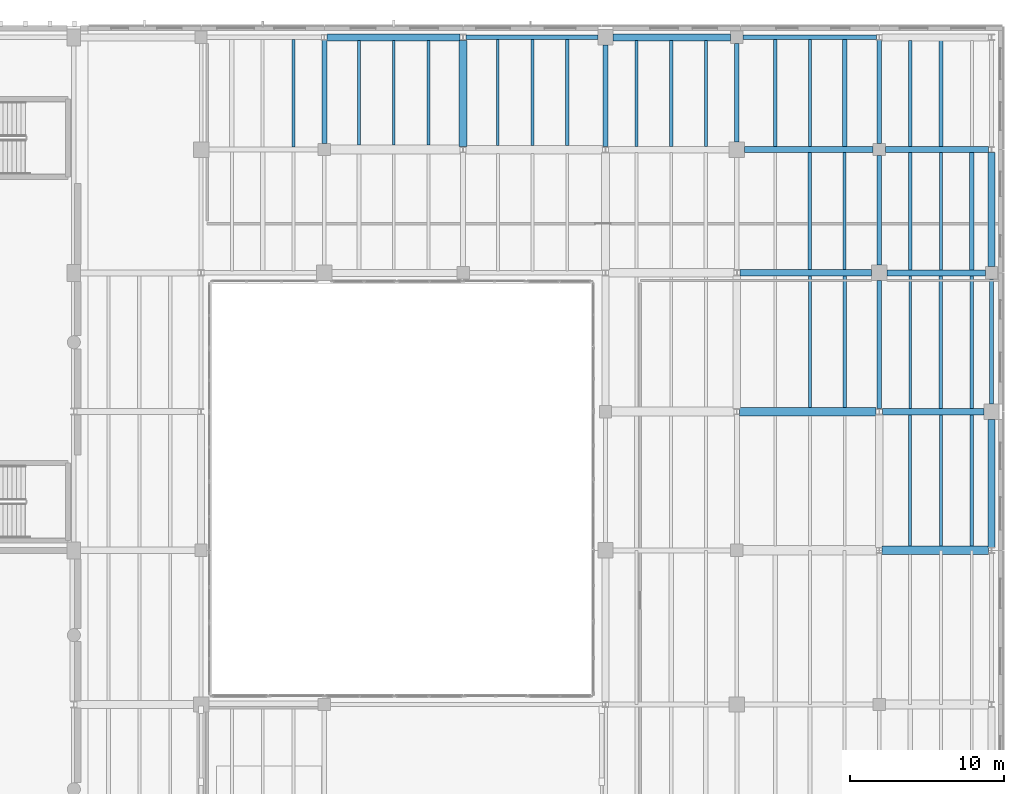
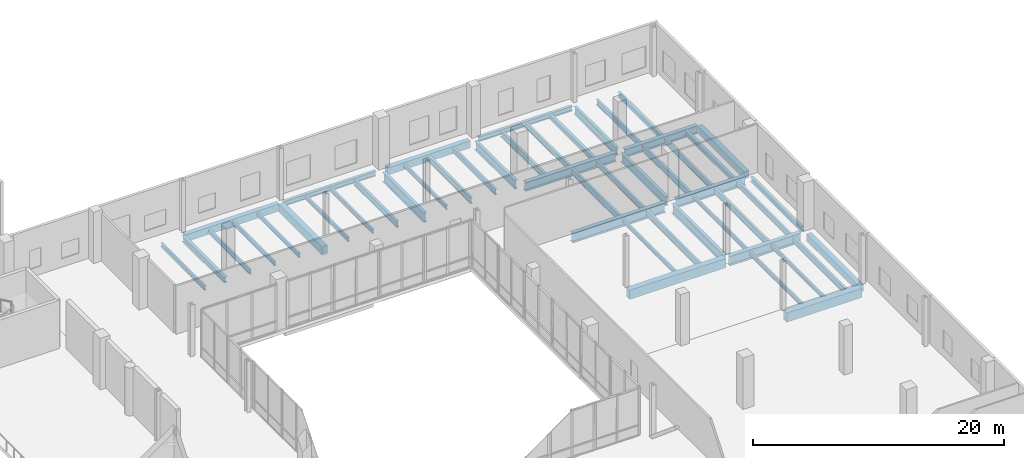
# One storey, part 49 of 81: 49 beams.
"""IFC4 building model written with IfcOpenShell, lengths in metres."""

from ifc_helpers import new_model, si_unit, direction, frame, origin, origin_2d, place, context, subcontext, project, spatial, rectangle, i_section, extrude, material, material_profile, profile_set, type_object, element, save


model = new_model("IFC4")

# Units and contexts
model_context = context("Model", 3, precision=1e-05, world=origin(), true_north=direction((0.0, 1.0)))
body_context = subcontext(model_context, "Body", "Model", "MODEL_VIEW")
ifc_project = project(units=[si_unit("LENGTHUNIT", "METRE"), si_unit("AREAUNIT", "SQUARE_METRE"), si_unit("VOLUMEUNIT", "CUBIC_METRE"), si_unit("PLANEANGLEUNIT", "RADIAN"), si_unit("MASSUNIT", "GRAM", prefix="KILO")], contexts=[model_context])

# Site, building, storey
site_placement = place(None, origin())
site = spatial("IfcSite", under=ifc_project, at=site_placement, CompositionType="ELEMENT")
building_placement = place(site_placement, origin())
building = spatial("IfcBuilding", under=site, at=building_placement, Name="Trimount Lyric Opera House", CompositionType="ELEMENT")
storey_placement = place(building_placement, frame((0.0, 0.0, 5.0)))
storey = spatial("IfcBuildingStorey", under=building, at=storey_placement, Name="L01", CompositionType="ELEMENT", Elevation=5.0)

# Beams
ifc_material_1 = material(Name="Steel ASTM A992 Grade 50", Category="steel")
ifc_material_profile_1 = material_profile(ifc_material_1, i_section(OverallWidth=0.4189453125, OverallDepth=0.927001953125, WebThickness=0.019287109375, FlangeThickness=0.031982421875, FilletRadius=0.02392578125, at=origin_2d()), Name="W36X231")
ifc_profile_set_1 = profile_set([ifc_material_profile_1], Name="Steel ASTM A992 Grade 50")
beam_type_1 = type_object("IfcBeamType", Name="B-02", PredefinedType="BEAM", material=ifc_profile_set_1)
beam_1_placement = place(storey_placement, frame((166.199462890625, 93.0, -0.7734375), z_axis=(1.0, 0.0, 0.0), x_axis=(0.0, 1.0, 0.0)))
element("IfcBeam", 1, at=beam_1_placement, inside=storey, type_object=beam_type_1, Name="L01 girder X-0549", PredefinedType="BEAM", context=body_context, shape_type="SweptSolid", body=[
    extrude(i_section(OverallWidth=0.4189453125, OverallDepth=0.927001953125, WebThickness=0.019287109375, FlangeThickness=0.031982421875, FilletRadius=0.02392578125, at=origin_2d()), origin(), (0.0, 0.0, 1.0), 6.58056640625),
])
beam_2_placement = place(storey_placement, frame((156.95947265625, 102.0, -0.7734375), z_axis=(1.0, 0.0, 0.0), x_axis=(0.0, 1.0, 0.0)))
element("IfcBeam", 2, at=beam_2_placement, inside=storey, type_object=beam_type_1, Name="L01 girder X-0561", PredefinedType="BEAM", context=body_context, shape_type="SweptSolid", body=[
    extrude(i_section(OverallWidth=0.4189453125, OverallDepth=0.927001953125, WebThickness=0.019287109375, FlangeThickness=0.031982421875, FilletRadius=0.02392578125, at=origin_2d()), origin(), (0.0, 0.0, 1.0), 8.54052734375),
])
ifc_material_2 = material(Name="Steel ASTM A992 Grade 50", Category="steel")
ifc_material_profile_2 = material_profile(ifc_material_2, i_section(OverallWidth=0.304931640625, OverallDepth=0.9189453125, WebThickness=0.017333984375, FlangeThickness=0.02783203125, FilletRadius=0.02001953125, at=origin_2d()), Name="W36X170")
ifc_profile_set_2 = profile_set([ifc_material_profile_2], Name="Steel ASTM A992 Grade 50")
beam_type_2 = type_object("IfcBeamType", Name="B-03", PredefinedType="BEAM", material=ifc_profile_set_2)
beam_3_placement = place(storey_placement, frame((148.239990234375, 110.193115234375, -0.76953125), z_axis=(0.0, 1.0, 0.0), x_axis=(-1.0, 0.0, 0.0)))
element("IfcBeam", 3, at=beam_3_placement, inside=storey, type_object=beam_type_2, Name="L01 girder Y-0690", PredefinedType="BEAM", context=body_context, shape_type="SweptSolid", body=[
    extrude(i_section(OverallWidth=0.304931640625, OverallDepth=0.9189453125, WebThickness=0.017333984375, FlangeThickness=0.02783203125, FilletRadius=0.02001953125, at=origin_2d()), origin(), (0.0, 0.0, 1.0), 6.5869140625),
])
beam_4_placement = place(storey_placement, frame((166.0, 93.193115234375, -0.76953125), z_axis=(0.0, 1.0, 0.0), x_axis=(-1.0, 0.0, 0.0)))
element("IfcBeam", 4, at=beam_4_placement, inside=storey, type_object=beam_type_2, Name="L01 girder Y-0703", PredefinedType="BEAM", context=body_context, shape_type="SweptSolid", body=[
    extrude(i_section(OverallWidth=0.304931640625, OverallDepth=0.9189453125, WebThickness=0.017333984375, FlangeThickness=0.02783203125, FilletRadius=0.02001953125, at=origin_2d()), origin(), (0.0, 0.0, 1.0), 8.306884765625),
])
ifc_material_3 = material(Name="Steel ASTM A992 Grade 50", Category="steel")
ifc_material_profile_3 = material_profile(ifc_material_3, i_section(OverallWidth=0.40087890625, OverallDepth=0.861083984375, WebThickness=0.019775390625, FlangeThickness=0.032470703125, FilletRadius=0.02001953125, at=origin_2d()), Name="W33X221")
ifc_profile_set_3 = profile_set([ifc_material_profile_3], Name="Steel ASTM A992 Grade 50")
beam_type_3 = type_object("IfcBeamType", Name="B-04", PredefinedType="BEAM", material=ifc_profile_set_3)
beam_5_placement = place(storey_placement, frame((166.5, 102.0, -0.740478515625), z_axis=(1.0, 0.0, 0.0), x_axis=(0.0, 1.0, 0.0)))
element("IfcBeam", 5, at=beam_5_placement, inside=storey, type_object=beam_type_3, Name="L01 girder X-0562", PredefinedType="BEAM", context=body_context, shape_type="SweptSolid", body=[
    extrude(i_section(OverallWidth=0.40087890625, OverallDepth=0.861083984375, WebThickness=0.019775390625, FlangeThickness=0.032470703125, FilletRadius=0.02001953125, at=origin_2d()), origin(), (0.0, 0.0, 1.0), 6.3798828125),
])
beam_6_placement = place(storey_placement, frame((157.260009765625, 110.0, -0.740478515625), z_axis=(1.0, 0.0, 0.0), x_axis=(0.0, 1.0, 0.0)))
element("IfcBeam", 6, at=beam_6_placement, inside=storey, type_object=beam_type_3, Name="L01 girder X-0573", PredefinedType="BEAM", context=body_context, shape_type="SweptSolid", body=[
    extrude(i_section(OverallWidth=0.40087890625, OverallDepth=0.861083984375, WebThickness=0.019775390625, FlangeThickness=0.032470703125, FilletRadius=0.02001953125, at=origin_2d()), origin(), (0.0, 0.0, 1.0), 8.340087890625),
])
ifc_material_4 = material(Name="Steel ASTM A992 Grade 50", Category="steel")
ifc_material_profile_4 = material_profile(ifc_material_4, i_section(OverallWidth=0.2919921875, OverallDepth=0.845947265625, WebThickness=0.015380859375, FlangeThickness=0.0244140625, FilletRadius=0.01806640625, at=origin_2d()), Name="W33X141")
ifc_profile_set_4 = profile_set([ifc_material_profile_4], Name="Steel ASTM A992 Grade 50")
beam_type_4 = type_object("IfcBeamType", Name="B-05", PredefinedType="BEAM", material=ifc_profile_set_4)
beam_7_placement = place(storey_placement, frame((156.760009765625, 110.5, -0.73291015625), z_axis=(0.0, 1.0, 0.0), x_axis=(-1.0, 0.0, 0.0)))
element("IfcBeam", 7, at=beam_7_placement, inside=storey, type_object=beam_type_4, Name="L01 girder Y-0697", PredefinedType="BEAM", context=body_context, shape_type="SweptSolid", body=[
    extrude(i_section(OverallWidth=0.2919921875, OverallDepth=0.845947265625, WebThickness=0.015380859375, FlangeThickness=0.0244140625, FilletRadius=0.01806640625, at=origin_2d()), origin(), (0.0, 0.0, 1.0), 6.3798828125),
])
beam_8_placement = place(storey_placement, frame((166.0, 102.5, -0.73291015625), z_axis=(0.0, 1.0, 0.0), x_axis=(-1.0, 0.0, 0.0)))
element("IfcBeam", 8, at=beam_8_placement, inside=storey, type_object=beam_type_4, Name="L01 girder Y-0704", PredefinedType="BEAM", context=body_context, shape_type="SweptSolid", body=[
    extrude(i_section(OverallWidth=0.2919921875, OverallDepth=0.845947265625, WebThickness=0.015380859375, FlangeThickness=0.0244140625, FilletRadius=0.01806640625, at=origin_2d()), origin(), (0.0, 0.0, 1.0), 7.10009765625),
])
ifc_material_5 = material(Name="Steel ASTM A992 Grade 50", Category="steel")
ifc_material_profile_5 = material_profile(ifc_material_5, i_section(OverallWidth=0.382080078125, OverallDepth=0.779052734375, WebThickness=0.01806640625, FlangeThickness=0.0302734375, FilletRadius=0.01904296875, at=origin_2d()), Name="W30X191")
ifc_profile_set_5 = profile_set([ifc_material_profile_5], Name="Steel ASTM A992 Grade 50")
beam_type_5 = type_object("IfcBeamType", Name="B-06", PredefinedType="BEAM", material=ifc_profile_set_5)
beam_9_placement = place(storey_placement, frame((166.39990234375, 110.0, -0.699462890625), z_axis=(1.0, 0.0, 0.0), x_axis=(0.0, 1.0, 0.0)))
element("IfcBeam", 9, at=beam_9_placement, inside=storey, type_object=beam_type_5, Name="L01 girder X-0574", PredefinedType="BEAM", context=body_context, shape_type="SweptSolid", body=[
    extrude(i_section(OverallWidth=0.382080078125, OverallDepth=0.779052734375, WebThickness=0.01806640625, FlangeThickness=0.0302734375, FilletRadius=0.01904296875, at=origin_2d()), origin(), (0.0, 0.0, 1.0), 6.693603515625),
])
ifc_material_6 = material(Name="Steel ASTM A992 Grade 50", Category="steel")
ifc_material_profile_6 = material_profile(ifc_material_6, i_section(OverallWidth=0.26708984375, OverallDepth=0.761962890625, WebThickness=0.014404296875, FlangeThickness=0.021484375, FilletRadius=0.01708984375, at=origin_2d()), Name="W30X116")
ifc_profile_set_6 = profile_set([ifc_material_profile_6], Name="Steel ASTM A992 Grade 50")
beam_type_6 = type_object("IfcBeamType", Name="B-07", PredefinedType="BEAM", material=ifc_profile_set_6)
beam_10_placement = place(storey_placement, frame((166.0, 110.39990234375, -0.69091796875), z_axis=(0.0, 1.0, 0.0), x_axis=(-1.0, 0.0, 0.0)))
element("IfcBeam", 10, at=beam_10_placement, inside=storey, type_object=beam_type_6, Name="L01 girder Y-0705", PredefinedType="BEAM", context=body_context, shape_type="SweptSolid", body=[
    extrude(i_section(OverallWidth=0.26708984375, OverallDepth=0.761962890625, WebThickness=0.014404296875, FlangeThickness=0.021484375, FilletRadius=0.01708984375, at=origin_2d()), origin(), (0.0, 0.0, 1.0), 6.696044921875),
])
ifc_material_7 = material(Name="Steel ASTM A992 Grade 50", Category="steel")
ifc_material_profile_7 = material_profile(ifc_material_7, i_section(OverallWidth=0.31201171875, OverallDepth=0.5458984375, WebThickness=0.013916015625, FlangeThickness=0.022216796875, FilletRadius=0.014892578125, at=origin_2d()), Name="W21X111")
ifc_profile_set_7 = profile_set([ifc_material_profile_7], Name="Steel ASTM A992 Grade 50")
beam_type_7 = type_object("IfcBeamType", Name="B-12", PredefinedType="BEAM", material=ifc_profile_set_7)
beam_11_placement = place(storey_placement, frame((130.0, 110.39990234375, -0.5830078125), z_axis=(0.0, 1.0, 0.0), x_axis=(-1.0, 0.0, 0.0)))
element("IfcBeam", 11, at=beam_11_placement, inside=storey, type_object=beam_type_7, Name="L01 girder Y-0680", PredefinedType="BEAM", context=body_context, shape_type="SweptSolid", body=[
    extrude(i_section(OverallWidth=0.31201171875, OverallDepth=0.5458984375, WebThickness=0.013916015625, FlangeThickness=0.022216796875, FilletRadius=0.014892578125, at=origin_2d()), origin(), (0.0, 0.0, 1.0), 6.696044921875),
])
ifc_material_8 = material(Name="Concrete C40/50", Category="concrete")
ifc_material_profile_8 = material_profile(ifc_material_8, rectangle(XDim=0.550048828125, YDim=0.89990234375, at=origin_2d()), Name="RC550X900")
ifc_profile_set_8 = profile_set([ifc_material_profile_8], Name="Concrete C40/50")
beam_type_8 = type_object("IfcBeamType", Name="B-14", PredefinedType="BEAM", material=ifc_profile_set_8)
beam_12_placement = place(storey_placement, frame((166.1865234375, 84.0, -0.760009765625), z_axis=(1.0, 0.0, 0.0), x_axis=(0.0, 1.0, 0.0)))
element("IfcBeam", 12, at=beam_12_placement, inside=storey, type_object=beam_type_8, Name="L01 girder X-0542", PredefinedType="BEAM", context=body_context, shape_type="SweptSolid", body=[
    extrude(rectangle(XDim=0.550048828125, YDim=0.89990234375, at=origin_2d()), origin(), (0.0, 0.0, 1.0), 6.89404296875),
])
beam_13_placement = place(storey_placement, frame((156.946533203125, 93.0, -0.760009765625), z_axis=(1.0, 0.0, 0.0), x_axis=(0.0, 1.0, 0.0)))
element("IfcBeam", 13, at=beam_13_placement, inside=storey, type_object=beam_type_8, Name="L01 girder X-0548", PredefinedType="BEAM", context=body_context, shape_type="SweptSolid", body=[
    extrude(rectangle(XDim=0.550048828125, YDim=0.89990234375, at=origin_2d()), origin(), (0.0, 0.0, 1.0), 8.85400390625),
])
ifc_material_9 = material(Name="Concrete C40/50", Category="concrete")
ifc_material_profile_9 = material_profile(ifc_material_9, rectangle(XDim=0.5, YDim=0.800048828125, at=origin_2d()), Name="RC500X800")
ifc_profile_set_9 = profile_set([ifc_material_profile_9], Name="Concrete C40/50")
beam_type_9 = type_object("IfcBeamType", Name="B-15", PredefinedType="BEAM", material=ifc_profile_set_9)
beam_14_placement = place(storey_placement, frame((139.0, 110.18408203125, -0.7099609375), z_axis=(0.0, 1.0, 0.0), x_axis=(-1.0, 0.0, 0.0)))
element("IfcBeam", 14, at=beam_14_placement, inside=storey, type_object=beam_type_9, Name="L01 girder Y-0682", PredefinedType="BEAM", context=body_context, shape_type="SweptSolid", body=[
    extrude(rectangle(XDim=0.5, YDim=0.800048828125, at=origin_2d()), origin(), (0.0, 0.0, 1.0), 6.90283203125),
])
ifc_material_10 = material(Name="Steel ASTM A992 Grade 50", Category="steel")
ifc_material_profile_10 = material_profile(ifc_material_10, i_section(OverallWidth=0.22802734375, OverallDepth=0.60205078125, WebThickness=0.010498046875, FlangeThickness=0.014892578125, FilletRadius=0.012939453125, at=origin_2d()), Name="W24X68")
ifc_profile_set_10 = profile_set([ifc_material_profile_10], Name="Steel ASTM A992 Grade 50")
beam_type_10 = type_object("IfcBeamType", Name="J-01", PredefinedType="BEAM", material=ifc_profile_set_10)
beam_15_placement = place(storey_placement, frame((145.75, 110.27099609375, -0.611083984375), z_axis=(0.0, 1.0, 0.0), x_axis=(-1.0, 0.0, 0.0)))
element("IfcBeam", 15, at=beam_15_placement, inside=storey, type_object=beam_type_10, Name="L01 composite floor joist 0733", PredefinedType="BEAM", context=body_context, shape_type="SweptSolid", body=[
    extrude(i_section(OverallWidth=0.22802734375, OverallDepth=0.60205078125, WebThickness=0.010498046875, FlangeThickness=0.014892578125, FilletRadius=0.012939453125, at=origin_2d()), origin(), (0.0, 0.0, 1.0), 6.8720703125),
])
beam_16_placement = place(storey_placement, frame((152.5, 110.20556640625, -0.611083984375), z_axis=(0.0, 1.0, 0.0), x_axis=(-1.0, 0.0, 0.0)))
element("IfcBeam", 16, at=beam_16_placement, inside=storey, type_object=beam_type_10, Name="L01 composite floor joist 0753", PredefinedType="BEAM", context=body_context, shape_type="SweptSolid", body=[
    extrude(i_section(OverallWidth=0.22802734375, OverallDepth=0.60205078125, WebThickness=0.010498046875, FlangeThickness=0.014892578125, FilletRadius=0.012939453125, at=origin_2d()), origin(), (0.0, 0.0, 1.0), 6.853515625),
])
beam_17_placement = place(storey_placement, frame((163.75, 93.27099609375, -0.611083984375), z_axis=(0.0, 1.0, 0.0), x_axis=(-1.0, 0.0, 0.0)))
element("IfcBeam", 17, at=beam_17_placement, inside=storey, type_object=beam_type_10, Name="L01 composite floor joist 0772", PredefinedType="BEAM", context=body_context, shape_type="SweptSolid", body=[
    extrude(i_section(OverallWidth=0.22802734375, OverallDepth=0.60205078125, WebThickness=0.010498046875, FlangeThickness=0.014892578125, FilletRadius=0.012939453125, at=origin_2d()), origin(), (0.0, 0.0, 1.0), 8.5234375),
])
beam_18_placement = place(storey_placement, frame((161.5, 102.20556640625, -0.611083984375), z_axis=(0.0, 1.0, 0.0), x_axis=(-1.0, 0.0, 0.0)))
element("IfcBeam", 18, at=beam_18_placement, inside=storey, type_object=beam_type_10, Name="L01 composite floor joist 0774", PredefinedType="BEAM", context=body_context, shape_type="SweptSolid", body=[
    extrude(i_section(OverallWidth=0.22802734375, OverallDepth=0.60205078125, WebThickness=0.010498046875, FlangeThickness=0.014892578125, FilletRadius=0.012939453125, at=origin_2d()), origin(), (0.0, 0.0, 1.0), 7.597900390625),
])
beam_19_placement = place(storey_placement, frame((159.25, 110.196533203125, -0.611083984375), z_axis=(0.0, 1.0, 0.0), x_axis=(-1.0, 0.0, 0.0)))
element("IfcBeam", 19, at=beam_19_placement, inside=storey, type_object=beam_type_10, Name="L01 composite floor joist 0776", PredefinedType="BEAM", context=body_context, shape_type="SweptSolid", body=[
    extrude(i_section(OverallWidth=0.22802734375, OverallDepth=0.60205078125, WebThickness=0.010498046875, FlangeThickness=0.014892578125, FilletRadius=0.012939453125, at=origin_2d()), origin(), (0.0, 0.0, 1.0), 6.946533203125),
])
beam_20_placement = place(storey_placement, frame((172.0, 84.27099609375, -0.611083984375), z_axis=(0.0, 1.0, 0.0), x_axis=(-1.0, 0.0, 0.0)))
element("IfcBeam", 20, at=beam_20_placement, inside=storey, type_object=beam_type_10, Name="L01 composite floor joist 0793", PredefinedType="BEAM", context=body_context, shape_type="SweptSolid", body=[
    extrude(i_section(OverallWidth=0.22802734375, OverallDepth=0.60205078125, WebThickness=0.010498046875, FlangeThickness=0.014892578125, FilletRadius=0.012939453125, at=origin_2d()), origin(), (0.0, 0.0, 1.0), 8.5234375),
])
beam_21_placement = place(storey_placement, frame((170.0, 93.20556640625, -0.611083984375), z_axis=(0.0, 1.0, 0.0), x_axis=(-1.0, 0.0, 0.0)))
element("IfcBeam", 21, at=beam_21_placement, inside=storey, type_object=beam_type_10, Name="L01 composite floor joist 0795", PredefinedType="BEAM", context=body_context, shape_type="SweptSolid", body=[
    extrude(i_section(OverallWidth=0.22802734375, OverallDepth=0.60205078125, WebThickness=0.010498046875, FlangeThickness=0.014892578125, FilletRadius=0.012939453125, at=origin_2d()), origin(), (0.0, 0.0, 1.0), 8.597900390625),
])
beam_22_placement = place(storey_placement, frame((168.0, 102.196533203125, -0.611083984375), z_axis=(0.0, 1.0, 0.0), x_axis=(-1.0, 0.0, 0.0)))
element("IfcBeam", 22, at=beam_22_placement, inside=storey, type_object=beam_type_10, Name="L01 composite floor joist 0797", PredefinedType="BEAM", context=body_context, shape_type="SweptSolid", body=[
    extrude(i_section(OverallWidth=0.22802734375, OverallDepth=0.60205078125, WebThickness=0.010498046875, FlangeThickness=0.014892578125, FilletRadius=0.012939453125, at=origin_2d()), origin(), (0.0, 0.0, 1.0), 7.616455078125),
])
ifc_material_11 = material(Name="Steel ASTM A992 Grade 50", Category="steel")
ifc_material_profile_11 = material_profile(ifc_material_11, i_section(OverallWidth=0.2099609375, OverallDepth=0.532958984375, WebThickness=0.01025390625, FlangeThickness=0.015625, FilletRadius=0.012939453125, at=origin_2d()), Name="W21X62")
ifc_profile_set_11 = profile_set([ifc_material_profile_11], Name="Steel ASTM A992 Grade 50")
beam_type_11 = type_object("IfcBeamType", Name="J-02", PredefinedType="BEAM", material=ifc_profile_set_11)
beam_23_placement = place(storey_placement, frame((154.75, 110.20556640625, -0.576416015625), z_axis=(0.0, 1.0, 0.0), x_axis=(-1.0, 0.0, 0.0)))
element("IfcBeam", 23, at=beam_23_placement, inside=storey, type_object=beam_type_11, Name="L01 composite floor joist 0754", PredefinedType="BEAM", context=body_context, shape_type="SweptSolid", body=[
    extrude(i_section(OverallWidth=0.2099609375, OverallDepth=0.532958984375, WebThickness=0.01025390625, FlangeThickness=0.015625, FilletRadius=0.012939453125, at=origin_2d()), origin(), (0.0, 0.0, 1.0), 6.853515625),
])
beam_24_placement = place(storey_placement, frame((163.75, 102.20556640625, -0.576416015625), z_axis=(0.0, 1.0, 0.0), x_axis=(-1.0, 0.0, 0.0)))
element("IfcBeam", 24, at=beam_24_placement, inside=storey, type_object=beam_type_11, Name="L01 composite floor joist 0775", PredefinedType="BEAM", context=body_context, shape_type="SweptSolid", body=[
    extrude(i_section(OverallWidth=0.2099609375, OverallDepth=0.532958984375, WebThickness=0.01025390625, FlangeThickness=0.015625, FilletRadius=0.012939453125, at=origin_2d()), origin(), (0.0, 0.0, 1.0), 7.597900390625),
])
beam_25_placement = place(storey_placement, frame((161.5, 110.196533203125, -0.576416015625), z_axis=(0.0, 1.0, 0.0), x_axis=(-1.0, 0.0, 0.0)))
element("IfcBeam", 25, at=beam_25_placement, inside=storey, type_object=beam_type_11, Name="L01 composite floor joist 0777", PredefinedType="BEAM", context=body_context, shape_type="SweptSolid", body=[
    extrude(i_section(OverallWidth=0.2099609375, OverallDepth=0.532958984375, WebThickness=0.01025390625, FlangeThickness=0.015625, FilletRadius=0.012939453125, at=origin_2d()), origin(), (0.0, 0.0, 1.0), 6.946533203125),
])
beam_26_placement = place(storey_placement, frame((172.0, 93.20556640625, -0.576416015625), z_axis=(0.0, 1.0, 0.0), x_axis=(-1.0, 0.0, 0.0)))
element("IfcBeam", 26, at=beam_26_placement, inside=storey, type_object=beam_type_11, Name="L01 composite floor joist 0796", PredefinedType="BEAM", context=body_context, shape_type="SweptSolid", body=[
    extrude(i_section(OverallWidth=0.2099609375, OverallDepth=0.532958984375, WebThickness=0.01025390625, FlangeThickness=0.015625, FilletRadius=0.012939453125, at=origin_2d()), origin(), (0.0, 0.0, 1.0), 8.597900390625),
])
beam_27_placement = place(storey_placement, frame((170.0, 102.196533203125, -0.576416015625), z_axis=(0.0, 1.0, 0.0), x_axis=(-1.0, 0.0, 0.0)))
element("IfcBeam", 27, at=beam_27_placement, inside=storey, type_object=beam_type_11, Name="L01 composite floor joist 0798", PredefinedType="BEAM", context=body_context, shape_type="SweptSolid", body=[
    extrude(i_section(OverallWidth=0.2099609375, OverallDepth=0.532958984375, WebThickness=0.01025390625, FlangeThickness=0.015625, FilletRadius=0.012939453125, at=origin_2d()), origin(), (0.0, 0.0, 1.0), 7.616455078125),
])
beam_28_placement = place(storey_placement, frame((168.0, 110.18701171875, -0.576416015625), z_axis=(0.0, 1.0, 0.0), x_axis=(-1.0, 0.0, 0.0)))
element("IfcBeam", 28, at=beam_28_placement, inside=storey, type_object=beam_type_11, Name="L01 composite floor joist 0800", PredefinedType="BEAM", context=body_context, shape_type="SweptSolid", body=[
    extrude(i_section(OverallWidth=0.2099609375, OverallDepth=0.532958984375, WebThickness=0.01025390625, FlangeThickness=0.015625, FilletRadius=0.012939453125, at=origin_2d()), origin(), (0.0, 0.0, 1.0), 6.8720703125),
])
ifc_material_12 = material(Name="Steel ASTM A992 Grade 50", Category="steel")
ifc_material_profile_12 = material_profile(ifc_material_12, i_section(OverallWidth=0.281982421875, OverallDepth=0.467041015625, WebThickness=0.01220703125, FlangeThickness=0.01953125, FilletRadius=0.012939453125, at=origin_2d()), Name="W18X86")
ifc_profile_set_12 = profile_set([ifc_material_profile_12], Name="Steel ASTM A992 Grade 50")
beam_type_12 = type_object("IfcBeamType", Name="J-03", PredefinedType="BEAM", material=ifc_profile_set_12)
beam_29_placement = place(storey_placement, frame((163.75, 110.196533203125, -0.54345703125), z_axis=(0.0, 1.0, 0.0), x_axis=(-1.0, 0.0, 0.0)))
element("IfcBeam", 29, at=beam_29_placement, inside=storey, type_object=beam_type_12, Name="L01 composite floor joist 0778", PredefinedType="BEAM", context=body_context, shape_type="SweptSolid", body=[
    extrude(i_section(OverallWidth=0.281982421875, OverallDepth=0.467041015625, WebThickness=0.01220703125, FlangeThickness=0.01953125, FilletRadius=0.012939453125, at=origin_2d()), origin(), (0.0, 0.0, 1.0), 6.946533203125),
])
beam_30_placement = place(storey_placement, frame((172.0, 102.196533203125, -0.54345703125), z_axis=(0.0, 1.0, 0.0), x_axis=(-1.0, 0.0, 0.0)))
element("IfcBeam", 30, at=beam_30_placement, inside=storey, type_object=beam_type_12, Name="L01 composite floor joist 0799", PredefinedType="BEAM", context=body_context, shape_type="SweptSolid", body=[
    extrude(i_section(OverallWidth=0.281982421875, OverallDepth=0.467041015625, WebThickness=0.01220703125, FlangeThickness=0.01953125, FilletRadius=0.012939453125, at=origin_2d()), origin(), (0.0, 0.0, 1.0), 7.616455078125),
])
beam_31_placement = place(storey_placement, frame((170.0, 110.18701171875, -0.54345703125), z_axis=(0.0, 1.0, 0.0), x_axis=(-1.0, 0.0, 0.0)))
element("IfcBeam", 31, at=beam_31_placement, inside=storey, type_object=beam_type_12, Name="L01 composite floor joist 0801", PredefinedType="BEAM", context=body_context, shape_type="SweptSolid", body=[
    extrude(i_section(OverallWidth=0.281982421875, OverallDepth=0.467041015625, WebThickness=0.01220703125, FlangeThickness=0.01953125, FilletRadius=0.012939453125, at=origin_2d()), origin(), (0.0, 0.0, 1.0), 6.8720703125),
])
ifc_material_13 = material(Name="Steel ASTM A992 Grade 50", Category="steel")
ifc_material_profile_13 = material_profile(ifc_material_13, i_section(OverallWidth=0.19091796875, OverallDepth=0.45703125, WebThickness=0.009033203125, FlangeThickness=0.014404296875, FilletRadius=0.010986328125, at=origin_2d()), Name="W18X50")
ifc_profile_set_13 = profile_set([ifc_material_profile_13], Name="Steel ASTM A992 Grade 50")
beam_type_13 = type_object("IfcBeamType", Name="J-04", PredefinedType="BEAM", material=ifc_profile_set_13)
beam_32_placement = place(storey_placement, frame((132.25, 110.2958984375, -0.53857421875), z_axis=(0.0, 1.0, 0.0), x_axis=(-1.0, 0.0, 0.0)))
element("IfcBeam", 32, at=beam_32_placement, inside=storey, type_object=beam_type_13, Name="L01 composite floor joist 0725", PredefinedType="BEAM", context=body_context, shape_type="SweptSolid", body=[
    extrude(i_section(OverallWidth=0.19091796875, OverallDepth=0.45703125, WebThickness=0.009033203125, FlangeThickness=0.014404296875, FilletRadius=0.010986328125, at=origin_2d()), origin(), (0.0, 0.0, 1.0), 6.76318359375),
])
ifc_material_14 = material(Name="Steel ASTM A992 Grade 50", Category="steel")
ifc_material_profile_14 = material_profile(ifc_material_14, i_section(OverallWidth=0.180908203125, OverallDepth=0.4169921875, WebThickness=0.010986328125, FlangeThickness=0.018310546875, FilletRadius=0.010986328125, at=origin_2d()), Name="W16X57")
ifc_profile_set_14 = profile_set([ifc_material_profile_14], Name="Steel ASTM A992 Grade 50")
beam_type_14 = type_object("IfcBeamType", Name="J-05", PredefinedType="BEAM", material=ifc_profile_set_14)
beam_33_placement = place(storey_placement, frame((128.0, 110.159912109375, -0.5185546875), z_axis=(0.0, 1.0, 0.0), x_axis=(-1.0, 0.0, 0.0)))
element("IfcBeam", 33, at=beam_33_placement, inside=storey, type_object=beam_type_14, Name="L01 composite floor joist 0721", PredefinedType="BEAM", context=body_context, shape_type="SweptSolid", body=[
    extrude(i_section(OverallWidth=0.180908203125, OverallDepth=0.4169921875, WebThickness=0.010986328125, FlangeThickness=0.018310546875, FilletRadius=0.010986328125, at=origin_2d()), origin(), (0.0, 0.0, 1.0), 6.983154296875),
])
beam_34_placement = place(storey_placement, frame((134.5, 110.2958984375, -0.5185546875), z_axis=(0.0, 1.0, 0.0), x_axis=(-1.0, 0.0, 0.0)))
element("IfcBeam", 34, at=beam_34_placement, inside=storey, type_object=beam_type_14, Name="L01 composite floor joist 0726", PredefinedType="BEAM", context=body_context, shape_type="SweptSolid", body=[
    extrude(i_section(OverallWidth=0.180908203125, OverallDepth=0.4169921875, WebThickness=0.010986328125, FlangeThickness=0.018310546875, FilletRadius=0.010986328125, at=origin_2d()), origin(), (0.0, 0.0, 1.0), 6.76318359375),
])
beam_35_placement = place(storey_placement, frame((141.25, 110.27099609375, -0.5185546875), z_axis=(0.0, 1.0, 0.0), x_axis=(-1.0, 0.0, 0.0)))
element("IfcBeam", 35, at=beam_35_placement, inside=storey, type_object=beam_type_14, Name="L01 composite floor joist 0731", PredefinedType="BEAM", context=body_context, shape_type="SweptSolid", body=[
    extrude(i_section(OverallWidth=0.180908203125, OverallDepth=0.4169921875, WebThickness=0.010986328125, FlangeThickness=0.018310546875, FilletRadius=0.010986328125, at=origin_2d()), origin(), (0.0, 0.0, 1.0), 6.8720703125),
])
beam_36_placement = place(storey_placement, frame((168.0, 84.27099609375, -0.5185546875), z_axis=(0.0, 1.0, 0.0), x_axis=(-1.0, 0.0, 0.0)))
element("IfcBeam", 36, at=beam_36_placement, inside=storey, type_object=beam_type_14, Name="L01 composite floor joist 0791", PredefinedType="BEAM", context=body_context, shape_type="SweptSolid", body=[
    extrude(i_section(OverallWidth=0.180908203125, OverallDepth=0.4169921875, WebThickness=0.010986328125, FlangeThickness=0.018310546875, FilletRadius=0.010986328125, at=origin_2d()), origin(), (0.0, 0.0, 1.0), 8.5234375),
])
ifc_material_15 = material(Name="Steel ASTM A992 Grade 50", Category="steel")
ifc_material_profile_15 = material_profile(ifc_material_15, i_section(OverallWidth=0.177978515625, OverallDepth=0.404052734375, WebThickness=0.007568359375, FlangeThickness=0.010986328125, FilletRadius=0.010009765625, at=origin_2d()), Name="W16X36")
ifc_profile_set_15 = profile_set([ifc_material_profile_15], Name="Steel ASTM A992 Grade 50")
beam_type_15 = type_object("IfcBeamType", Name="J-06", PredefinedType="BEAM", material=ifc_profile_set_15)
beam_37_placement = place(storey_placement, frame((136.75, 110.2958984375, -0.511962890625), z_axis=(0.0, 1.0, 0.0), x_axis=(-1.0, 0.0, 0.0)))
element("IfcBeam", 37, at=beam_37_placement, inside=storey, type_object=beam_type_15, Name="L01 composite floor joist 0727", PredefinedType="BEAM", context=body_context, shape_type="SweptSolid", body=[
    extrude(i_section(OverallWidth=0.177978515625, OverallDepth=0.404052734375, WebThickness=0.007568359375, FlangeThickness=0.010986328125, FilletRadius=0.010009765625, at=origin_2d()), origin(), (0.0, 0.0, 1.0), 6.76318359375),
])
beam_38_placement = place(storey_placement, frame((143.5, 110.27099609375, -0.511962890625), z_axis=(0.0, 1.0, 0.0), x_axis=(-1.0, 0.0, 0.0)))
element("IfcBeam", 38, at=beam_38_placement, inside=storey, type_object=beam_type_15, Name="L01 composite floor joist 0732", PredefinedType="BEAM", context=body_context, shape_type="SweptSolid", body=[
    extrude(i_section(OverallWidth=0.177978515625, OverallDepth=0.404052734375, WebThickness=0.007568359375, FlangeThickness=0.010986328125, FilletRadius=0.010009765625, at=origin_2d()), origin(), (0.0, 0.0, 1.0), 6.8720703125),
])
beam_39_placement = place(storey_placement, frame((150.25, 110.20556640625, -0.511962890625), z_axis=(0.0, 1.0, 0.0), x_axis=(-1.0, 0.0, 0.0)))
element("IfcBeam", 39, at=beam_39_placement, inside=storey, type_object=beam_type_15, Name="L01 composite floor joist 0752", PredefinedType="BEAM", context=body_context, shape_type="SweptSolid", body=[
    extrude(i_section(OverallWidth=0.177978515625, OverallDepth=0.404052734375, WebThickness=0.007568359375, FlangeThickness=0.010986328125, FilletRadius=0.010009765625, at=origin_2d()), origin(), (0.0, 0.0, 1.0), 6.853515625),
])
for number, where, z_axis, x_axis, name in (
    (40, (161.5, 93.27099609375, -0.511962890625), (0.0, 1.0, 0.0), (-1.0, 0.0, 0.0), "L01 composite floor joist 0771"),
    (41, (170.0, 84.27099609375, -0.511962890625), (0.0, 1.0, 0.0), (-1.0, 0.0, 0.0), "L01 composite floor joist 0792"),
):
    element("IfcBeam", number, at=place(storey_placement, frame(where, z_axis=z_axis, x_axis=x_axis)), inside=storey, type_object=beam_type_15, Name=name, PredefinedType="BEAM", context=body_context, shape_type="SweptSolid", body=[
        extrude(i_section(OverallWidth=0.177978515625, OverallDepth=0.404052734375, WebThickness=0.007568359375, FlangeThickness=0.010986328125, FilletRadius=0.010009765625, at=origin_2d()), origin(), (0.0, 0.0, 1.0), 8.5234375),
    ])
beam_40_placement = place(storey_placement, frame((168.0, 93.20556640625, -0.511962890625), z_axis=(0.0, 1.0, 0.0), x_axis=(-1.0, 0.0, 0.0)))
element("IfcBeam", 42, at=beam_40_placement, inside=storey, type_object=beam_type_15, Name="L01 composite floor joist 0794", PredefinedType="BEAM", context=body_context, shape_type="SweptSolid", body=[
    extrude(i_section(OverallWidth=0.177978515625, OverallDepth=0.404052734375, WebThickness=0.007568359375, FlangeThickness=0.010986328125, FilletRadius=0.010009765625, at=origin_2d()), origin(), (0.0, 0.0, 1.0), 8.597900390625),
])
ifc_material_16 = material(Name="Steel ASTM A992 Grade 50", Category="steel")
ifc_material_profile_16 = material_profile(ifc_material_16, i_section(OverallWidth=0.281982421875, OverallDepth=0.467041015625, WebThickness=0.01220703125, FlangeThickness=0.01953125, FilletRadius=0.012939453125, at=origin_2d()), Name="W18X86")
ifc_profile_set_16 = profile_set([ifc_material_profile_16], Name="Steel ASTM A992 Grade 50")
beam_type_16 = type_object("IfcBeamType", Name="SP-01", PredefinedType="SPANDREL", material=ifc_profile_set_16)
beam_41_placement = place(storey_placement, frame((139.199462890625, 117.280029296875, -0.54345703125), z_axis=(1.0, 0.0, 0.0), x_axis=(0.0, 1.0, 0.0)))
element("IfcBeam", 43, at=beam_41_placement, inside=storey, type_object=beam_type_16, Name="L01 girder X-0590", PredefinedType="SPANDREL", context=body_context, shape_type="SweptSolid", body=[
    extrude(i_section(OverallWidth=0.281982421875, OverallDepth=0.467041015625, WebThickness=0.01220703125, FlangeThickness=0.01953125, FilletRadius=0.012939453125, at=origin_2d()), origin(), (0.0, 0.0, 1.0), 8.54052734375),
])
beam_42_placement = place(storey_placement, frame((157.159912109375, 117.280029296875, -0.54345703125), z_axis=(1.0, 0.0, 0.0), x_axis=(0.0, 1.0, 0.0)))
element("IfcBeam", 44, at=beam_42_placement, inside=storey, type_object=beam_type_16, Name="L01 girder X-0592", PredefinedType="SPANDREL", context=body_context, shape_type="SweptSolid", body=[
    extrude(i_section(OverallWidth=0.281982421875, OverallDepth=0.467041015625, WebThickness=0.01220703125, FlangeThickness=0.01953125, FilletRadius=0.012939453125, at=origin_2d()), origin(), (0.0, 0.0, 1.0), 8.653564453125),
])
beam_43_placement = place(storey_placement, frame((173.280029296875, 93.5, -0.54345703125), z_axis=(0.0, 1.0, 0.0), x_axis=(-1.0, 0.0, 0.0)))
element("IfcBeam", 45, at=beam_43_placement, inside=storey, type_object=beam_type_16, Name="L01 girder Y-0711", PredefinedType="SPANDREL", context=body_context, shape_type="SweptSolid", body=[
    extrude(i_section(OverallWidth=0.281982421875, OverallDepth=0.467041015625, WebThickness=0.01220703125, FlangeThickness=0.01953125, FilletRadius=0.012939453125, at=origin_2d()), origin(), (0.0, 0.0, 1.0), 8.10009765625),
])
ifc_material_17 = material(Name="Concrete C40/50", Category="concrete")
ifc_material_profile_17 = material_profile(ifc_material_17, rectangle(XDim=0.449951171875, YDim=0.699951171875, at=origin_2d()), Name="RC450X700")
ifc_profile_set_17 = profile_set([ifc_material_profile_17], Name="Concrete C40/50")
beam_type_17 = type_object("IfcBeamType", Name="SP-02", PredefinedType="SPANDREL", material=ifc_profile_set_17)
beam_44_placement = place(storey_placement, frame((130.1865234375, 117.280029296875, -0.659912109375), z_axis=(1.0, 0.0, 0.0), x_axis=(0.0, 1.0, 0.0)))
element("IfcBeam", 46, at=beam_44_placement, inside=storey, type_object=beam_type_17, Name="L01 girder X-0589", PredefinedType="SPANDREL", context=body_context, shape_type="SweptSolid", body=[
    extrude(rectangle(XDim=0.449951171875, YDim=0.699951171875, at=origin_2d()), origin(), (0.0, 0.0, 1.0), 8.614013671875),
])
beam_45_placement = place(storey_placement, frame((148.739990234375, 117.280029296875, -0.659912109375), z_axis=(1.0, 0.0, 0.0), x_axis=(0.0, 1.0, 0.0)))
element("IfcBeam", 47, at=beam_45_placement, inside=storey, type_object=beam_type_17, Name="L01 girder X-0591", PredefinedType="SPANDREL", context=body_context, shape_type="SweptSolid", body=[
    extrude(rectangle(XDim=0.449951171875, YDim=0.699951171875, at=origin_2d()), origin(), (0.0, 0.0, 1.0), 7.6201171875),
])
beam_46_placement = place(storey_placement, frame((173.280029296875, 84.193115234375, -0.659912109375), z_axis=(0.0, 1.0, 0.0), x_axis=(-1.0, 0.0, 0.0)))
element("IfcBeam", 48, at=beam_46_placement, inside=storey, type_object=beam_type_17, Name="L01 girder Y-0710", PredefinedType="SPANDREL", context=body_context, shape_type="SweptSolid", body=[
    extrude(rectangle(XDim=0.449951171875, YDim=0.699951171875, at=origin_2d()), origin(), (0.0, 0.0, 1.0), 8.306884765625),
])
beam_47_placement = place(storey_placement, frame((173.280029296875, 102.39990234375, -0.659912109375), z_axis=(0.0, 1.0, 0.0), x_axis=(-1.0, 0.0, 0.0)))
element("IfcBeam", 49, at=beam_47_placement, inside=storey, type_object=beam_type_17, Name="L01 girder Y-0712", PredefinedType="SPANDREL", context=body_context, shape_type="SweptSolid", body=[
    extrude(rectangle(XDim=0.449951171875, YDim=0.699951171875, at=origin_2d()), origin(), (0.0, 0.0, 1.0), 7.416015625),
])

save(model, "model.ifc")
